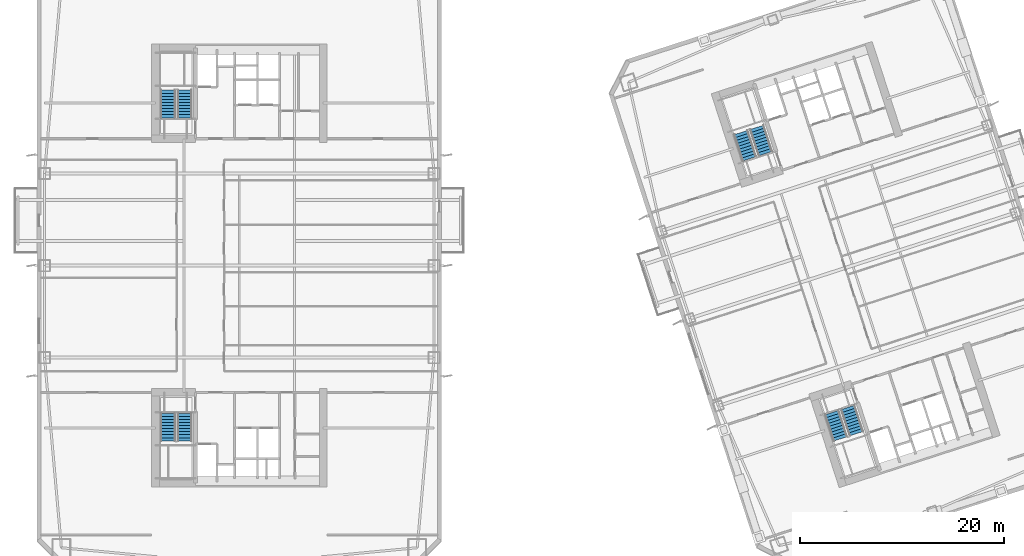
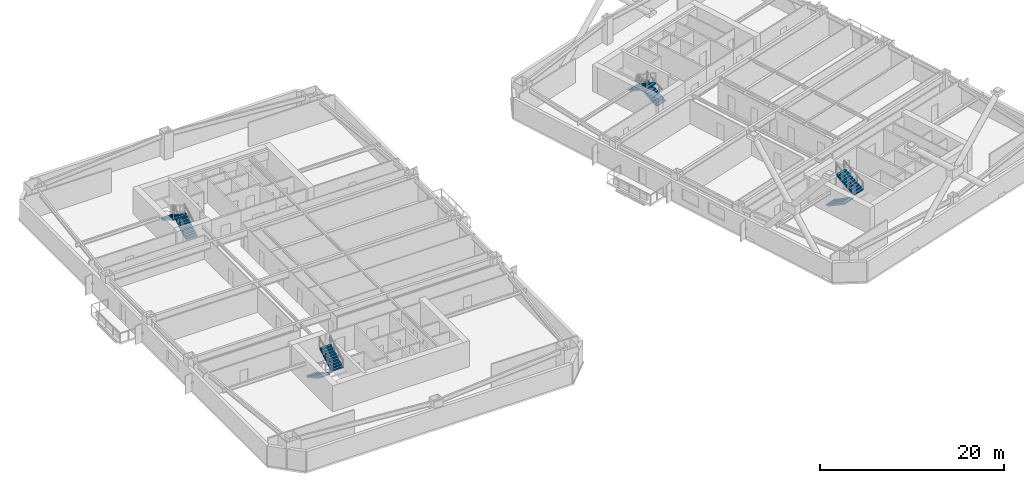
# One storey, part 12 of 19: 8 stair flights, 4 elements without a shape of their own.
"""IFC4 building model written with IfcOpenShell, lengths in metres."""

from ifc_helpers import new_model, si_unit, direction, frame, origin, place, context, subcontext, project, spatial, polyline, outline, extrude, material, type_object, element, aggregate, save


model = new_model("IFC4")

# Units and contexts
model_context = context("Model", 3, precision=1e-05, world=origin(), true_north=direction((0.0, 1.0)))
body_context = subcontext(model_context, "Body", "Model", "MODEL_VIEW")
ifc_project = project(units=[si_unit("LENGTHUNIT", "METRE"), si_unit("AREAUNIT", "SQUARE_METRE"), si_unit("VOLUMEUNIT", "CUBIC_METRE"), si_unit("PLANEANGLEUNIT", "RADIAN"), si_unit("MASSUNIT", "GRAM", prefix="KILO")], contexts=[model_context])

# Site, building, storey
site_placement = place(None, origin())
site = spatial("IfcSite", under=ifc_project, at=site_placement, CompositionType="ELEMENT")
building_placement = place(site_placement, origin())
building = spatial("IfcBuilding", under=site, at=building_placement, Name="Qiaolan Cultural Towers", CompositionType="ELEMENT")
storey_placement = place(building_placement, frame((0.0, 0.0, 78.199951171875)))
storey = spatial("IfcBuildingStorey", under=building, at=storey_placement, Name="L19", CompositionType="ELEMENT", Elevation=78.199951171875)

# Stair, stair flights
ifc_material_1 = material(Name="Concrete C45", Category="concrete")
stair_type = type_object("IfcStairType", Name="STR-CORE-1500", PredefinedType="HALF_TURN_STAIR", material=ifc_material_1)
stair_1_placement = place(storey_placement, origin())
stair_1 = element("IfcStair", 1, at=stair_1_placement, inside=storey, type_object=stair_type, Name="L19 Smokeproof Exit Stair ST-W1", PredefinedType="HALF_TURN_STAIR")
ifc_material_2 = material(Name="Concrete C45", Category="concrete")
stair_flight_type = type_object("IfcStairFlightType", Name="STR-CORE-1500-FL", PredefinedType="STRAIGHT", material=ifc_material_2)
stair_flight_1_placement = place(storey_placement, frame((23.02001953125, 19.550048828125, 0.0), z_axis=(0.0, 0.0, 1.0), x_axis=(0.0, -1.0, 0.0)))
stair_flight_1 = element("IfcStairFlight", 2, at=stair_flight_1_placement, type_object=stair_flight_type, Name="ST-W1 flight 1", NumberOfRisers=10, NumberOfTreads=9, PredefinedType="STRAIGHT", RiserHeight=0.1725, TreadLength=0.3, context=body_context, shape_type="SweptSolid", body=[
    extrude(outline(polyline([(0.0, 0.0), (0.0, 0.172607421875), (0.300048828125, 0.172607421875), (0.300048828125, 0.344970703125), (0.60009765625, 0.344970703125), (0.60009765625, 0.517578125), (0.89990234375, 0.517578125), (0.89990234375, 0.68994140625), (1.199951171875, 0.68994140625), (1.199951171875, 0.862548828125), (1.5, 0.862548828125), (1.5, 1.034912109375), (1.800048828125, 1.034912109375), (1.800048828125, 1.20751953125), (2.10009765625, 1.20751953125), (2.10009765625, 1.3798828125), (2.39990234375, 1.3798828125), (2.39990234375, 1.552490234375), (2.699951171875, 1.552490234375), (2.699951171875, 1.72509765625), (2.699951171875, 1.379638671875), (0.30078125, 0.0), (0.0, 0.0)])), frame((0.0, 0.719970703125, 0.0), z_axis=(0.0, -1.0, 0.0), x_axis=(1.0, 0.0, 0.0)), (0.0, 0.0, 1.0), 1.43994140625),
])
stair_flight_2_placement = place(storey_placement, frame((24.659912109375, 16.85009765625, 1.72509765625), z_axis=(0.0, 0.0, 1.0), x_axis=(0.0, 1.0, 0.0)))
stair_flight_2 = element("IfcStairFlight", 3, at=stair_flight_2_placement, type_object=stair_flight_type, Name="ST-W1 flight 2", NumberOfRisers=10, NumberOfTreads=9, PredefinedType="STRAIGHT", RiserHeight=0.1725, TreadLength=0.3, context=body_context, shape_type="SweptSolid", body=[
    extrude(outline(polyline([(0.0, 0.0), (0.0, 0.172607421875), (0.300048828125, 0.172607421875), (0.300048828125, 0.344970703125), (0.60009765625, 0.344970703125), (0.60009765625, 0.517578125), (0.89990234375, 0.517578125), (0.89990234375, 0.68994140625), (1.199951171875, 0.68994140625), (1.199951171875, 0.862548828125), (1.5, 0.862548828125), (1.5, 1.034912109375), (1.800048828125, 1.034912109375), (1.800048828125, 1.20751953125), (2.10009765625, 1.20751953125), (2.10009765625, 1.3798828125), (2.39990234375, 1.3798828125), (2.39990234375, 1.552490234375), (2.699951171875, 1.552490234375), (2.699951171875, 1.72509765625), (2.699951171875, 1.379638671875), (0.30078125, 0.0), (0.0, 0.0)])), frame((0.0, 0.719970703125, 0.0), z_axis=(0.0, -1.0, 0.0), x_axis=(1.0, 0.0, 0.0)), (0.0, 0.0, 1.0), 1.43994140625),
])
aggregate(stair_1, [stair_flight_1, stair_flight_2])

stair_2_placement = place(storey_placement, origin())
stair_2 = element("IfcStair", 4, at=stair_2_placement, inside=storey, type_object=stair_type, Name="L19 Smokeproof Exit Stair ST-W2", PredefinedType="HALF_TURN_STAIR")
stair_flight_3_placement = place(storey_placement, frame((24.659912109375, 48.449951171875, 0.0), z_axis=(0.0, 0.0, 1.0), x_axis=(0.0, 1.0, 0.0)))
stair_flight_3 = element("IfcStairFlight", 5, at=stair_flight_3_placement, type_object=stair_flight_type, Name="ST-W2 flight 1", NumberOfRisers=10, NumberOfTreads=9, PredefinedType="STRAIGHT", RiserHeight=0.1725, TreadLength=0.3, context=body_context, shape_type="SweptSolid", body=[
    extrude(outline(polyline([(0.0, 0.0), (0.0, 0.172607421875), (0.300048828125, 0.172607421875), (0.300048828125, 0.344970703125), (0.60009765625, 0.344970703125), (0.60009765625, 0.517578125), (0.89990234375, 0.517578125), (0.89990234375, 0.68994140625), (1.199951171875, 0.68994140625), (1.199951171875, 0.862548828125), (1.5, 0.862548828125), (1.5, 1.034912109375), (1.800048828125, 1.034912109375), (1.800048828125, 1.20751953125), (2.10009765625, 1.20751953125), (2.10009765625, 1.3798828125), (2.39990234375, 1.3798828125), (2.39990234375, 1.552490234375), (2.699951171875, 1.552490234375), (2.699951171875, 1.72509765625), (2.699951171875, 1.379638671875), (0.30078125, 0.0), (0.0, 0.0)])), frame((0.0, 0.719970703125, 0.0), z_axis=(0.0, -1.0, 0.0), x_axis=(1.0, 0.0, 0.0)), (0.0, 0.0, 1.0), 1.43994140625),
])
stair_flight_4_placement = place(storey_placement, frame((23.02001953125, 51.14990234375, 1.72509765625), z_axis=(0.0, 0.0, 1.0), x_axis=(0.0, -1.0, 0.0)))
stair_flight_4 = element("IfcStairFlight", 6, at=stair_flight_4_placement, type_object=stair_flight_type, Name="ST-W2 flight 2", NumberOfRisers=10, NumberOfTreads=9, PredefinedType="STRAIGHT", RiserHeight=0.1725, TreadLength=0.3, context=body_context, shape_type="SweptSolid", body=[
    extrude(outline(polyline([(0.0, 0.0), (0.0, 0.172607421875), (0.300048828125, 0.172607421875), (0.300048828125, 0.344970703125), (0.60009765625, 0.344970703125), (0.60009765625, 0.517578125), (0.89990234375, 0.517578125), (0.89990234375, 0.68994140625), (1.199951171875, 0.68994140625), (1.199951171875, 0.862548828125), (1.5, 0.862548828125), (1.5, 1.034912109375), (1.800048828125, 1.034912109375), (1.800048828125, 1.20751953125), (2.10009765625, 1.20751953125), (2.10009765625, 1.3798828125), (2.39990234375, 1.3798828125), (2.39990234375, 1.552490234375), (2.699951171875, 1.552490234375), (2.699951171875, 1.72509765625), (2.699951171875, 1.379638671875), (0.30078125, 0.0), (0.0, 0.0)])), frame((0.0, 0.719970703125, 0.0), z_axis=(0.0, -1.0, 0.0), x_axis=(1.0, 0.0, 0.0)), (0.0, 0.0, 1.0), 1.43994140625),
])
aggregate(stair_2, [stair_flight_3, stair_flight_4])

stair_3_placement = place(storey_placement, origin())
stair_3 = element("IfcStair", 7, at=stair_3_placement, inside=storey, type_object=stair_type, Name="L19 Smokeproof Exit Stair ST-E1", PredefinedType="HALF_TURN_STAIR")
stair_flight_5_placement = place(storey_placement, frame((87.96484375, 19.6171875, 0.0), z_axis=(0.0, 0.0, 1.0), x_axis=(0.309016994375, -0.951056516295, 0.0)))
stair_flight_5 = element("IfcStairFlight", 8, at=stair_flight_5_placement, type_object=stair_flight_type, Name="ST-E1 flight 1", NumberOfRisers=10, NumberOfTreads=9, PredefinedType="STRAIGHT", RiserHeight=0.1725, TreadLength=0.3, context=body_context, shape_type="SweptSolid", body=[
    extrude(outline(polyline([(0.0, 0.0), (0.0, 0.172607421875), (0.300048828125, 0.172607421875), (0.300048828125, 0.344970703125), (0.60009765625, 0.344970703125), (0.60009765625, 0.517578125), (0.89990234375, 0.517578125), (0.89990234375, 0.68994140625), (1.199951171875, 0.68994140625), (1.199951171875, 0.862548828125), (1.5, 0.862548828125), (1.5, 1.034912109375), (1.800048828125, 1.034912109375), (1.800048828125, 1.20751953125), (2.10009765625, 1.20751953125), (2.10009765625, 1.3798828125), (2.39990234375, 1.3798828125), (2.39990234375, 1.552490234375), (2.699951171875, 1.552490234375), (2.699951171875, 1.72509765625), (2.699951171875, 1.379638671875), (0.30078125, 0.0), (0.0, 0.0)])), frame((0.0, 0.719970703125, 0.0), z_axis=(0.0, -1.0, 0.0), x_axis=(1.0, 0.0, 0.0)), (0.0, 0.0, 1.0), 1.43994140625),
])
stair_flight_6_placement = place(storey_placement, frame((90.359130859375, 17.55615234375, 1.72509765625), z_axis=(0.0, 0.0, 1.0), x_axis=(-0.309016994375, 0.951056516295, 0.0)))
stair_flight_6 = element("IfcStairFlight", 9, at=stair_flight_6_placement, type_object=stair_flight_type, Name="ST-E1 flight 2", NumberOfRisers=10, NumberOfTreads=9, PredefinedType="STRAIGHT", RiserHeight=0.1725, TreadLength=0.3, context=body_context, shape_type="SweptSolid", body=[
    extrude(outline(polyline([(0.0, 0.0), (0.0, 0.172607421875), (0.300048828125, 0.172607421875), (0.300048828125, 0.344970703125), (0.60009765625, 0.344970703125), (0.60009765625, 0.517578125), (0.89990234375, 0.517578125), (0.89990234375, 0.68994140625), (1.199951171875, 0.68994140625), (1.199951171875, 0.862548828125), (1.5, 0.862548828125), (1.5, 1.034912109375), (1.800048828125, 1.034912109375), (1.800048828125, 1.20751953125), (2.10009765625, 1.20751953125), (2.10009765625, 1.3798828125), (2.39990234375, 1.3798828125), (2.39990234375, 1.552490234375), (2.699951171875, 1.552490234375), (2.699951171875, 1.72509765625), (2.699951171875, 1.379638671875), (0.30078125, 0.0), (0.0, 0.0)])), frame((0.0, 0.719970703125, 0.0), z_axis=(0.0, -1.0, 0.0), x_axis=(1.0, 0.0, 0.0)), (0.0, 0.0, 1.0), 1.43994140625),
])
aggregate(stair_3, [stair_flight_5, stair_flight_6])

stair_4_placement = place(storey_placement, origin())
stair_4 = element("IfcStair", 10, at=stair_4_placement, inside=storey, type_object=stair_type, Name="L19 Smokeproof Exit Stair ST-E2", PredefinedType="HALF_TURN_STAIR")
stair_flight_7_placement = place(storey_placement, frame((81.459228515625, 44.946533203125, 0.0), z_axis=(0.0, 0.0, 1.0), x_axis=(-0.309016994375, 0.951056516295, 0.0)))
stair_flight_7 = element("IfcStairFlight", 11, at=stair_flight_7_placement, type_object=stair_flight_type, Name="ST-E2 flight 1", NumberOfRisers=10, NumberOfTreads=9, PredefinedType="STRAIGHT", RiserHeight=0.1725, TreadLength=0.3, context=body_context, shape_type="SweptSolid", body=[
    extrude(outline(polyline([(0.0, 0.0), (0.0, 0.172607421875), (0.300048828125, 0.172607421875), (0.300048828125, 0.344970703125), (0.60009765625, 0.344970703125), (0.60009765625, 0.517578125), (0.89990234375, 0.517578125), (0.89990234375, 0.68994140625), (1.199951171875, 0.68994140625), (1.199951171875, 0.862548828125), (1.5, 0.862548828125), (1.5, 1.034912109375), (1.800048828125, 1.034912109375), (1.800048828125, 1.20751953125), (2.10009765625, 1.20751953125), (2.10009765625, 1.3798828125), (2.39990234375, 1.3798828125), (2.39990234375, 1.552490234375), (2.699951171875, 1.552490234375), (2.699951171875, 1.72509765625), (2.699951171875, 1.379638671875), (0.30078125, 0.0), (0.0, 0.0)])), frame((0.0, 0.719970703125, 0.0), z_axis=(0.0, -1.0, 0.0), x_axis=(1.0, 0.0, 0.0)), (0.0, 0.0, 1.0), 1.43994140625),
])
stair_flight_8_placement = place(storey_placement, frame((79.065185546875, 47.007568359375, 1.72509765625), z_axis=(0.0, 0.0, 1.0), x_axis=(0.309016994375, -0.951056516295, 0.0)))
stair_flight_8 = element("IfcStairFlight", 12, at=stair_flight_8_placement, type_object=stair_flight_type, Name="ST-E2 flight 2", NumberOfRisers=10, NumberOfTreads=9, PredefinedType="STRAIGHT", RiserHeight=0.1725, TreadLength=0.3, context=body_context, shape_type="SweptSolid", body=[
    extrude(outline(polyline([(0.0, 0.0), (0.0, 0.172607421875), (0.300048828125, 0.172607421875), (0.300048828125, 0.344970703125), (0.60009765625, 0.344970703125), (0.60009765625, 0.517578125), (0.89990234375, 0.517578125), (0.89990234375, 0.68994140625), (1.199951171875, 0.68994140625), (1.199951171875, 0.862548828125), (1.5, 0.862548828125), (1.5, 1.034912109375), (1.800048828125, 1.034912109375), (1.800048828125, 1.20751953125), (2.10009765625, 1.20751953125), (2.10009765625, 1.3798828125), (2.39990234375, 1.3798828125), (2.39990234375, 1.552490234375), (2.699951171875, 1.552490234375), (2.699951171875, 1.72509765625), (2.699951171875, 1.379638671875), (0.30078125, 0.0), (0.0, 0.0)])), frame((0.0, 0.719970703125, 0.0), z_axis=(0.0, -1.0, 0.0), x_axis=(1.0, 0.0, 0.0)), (0.0, 0.0, 1.0), 1.43994140625),
])
aggregate(stair_4, [stair_flight_7, stair_flight_8])

save(model, "model.ifc")
